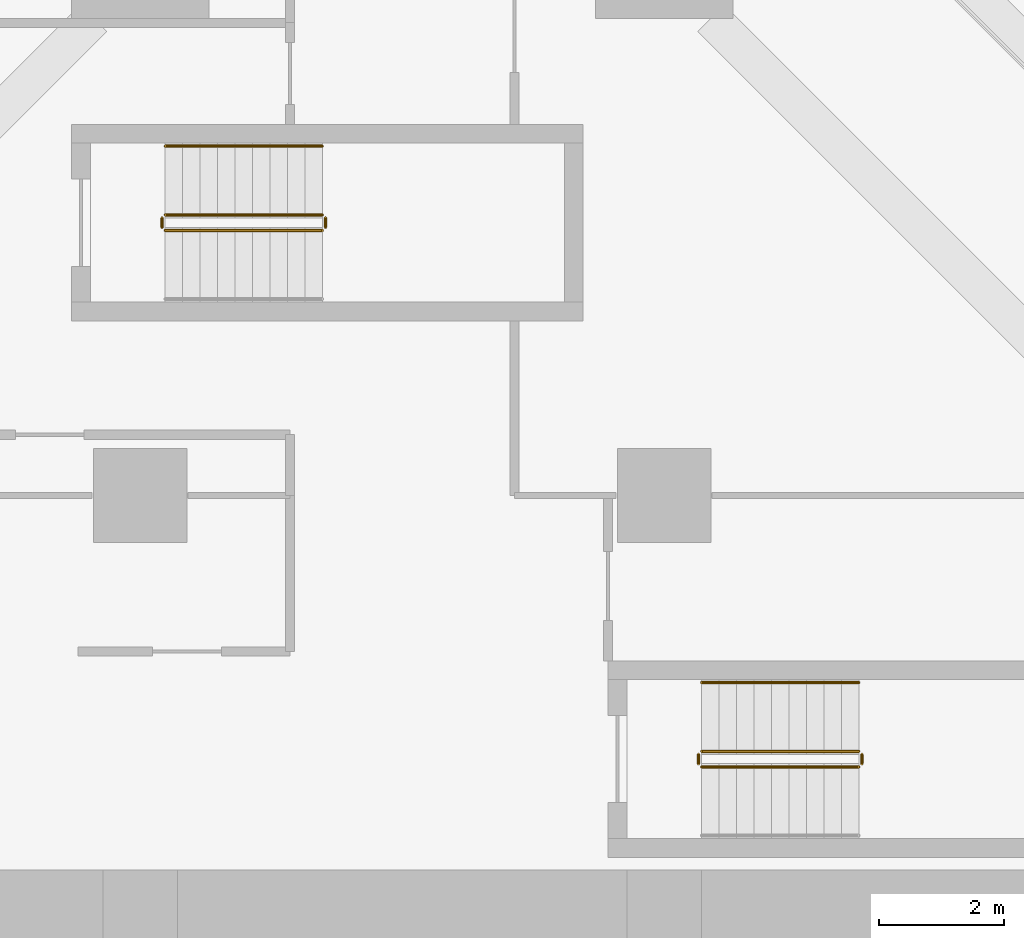
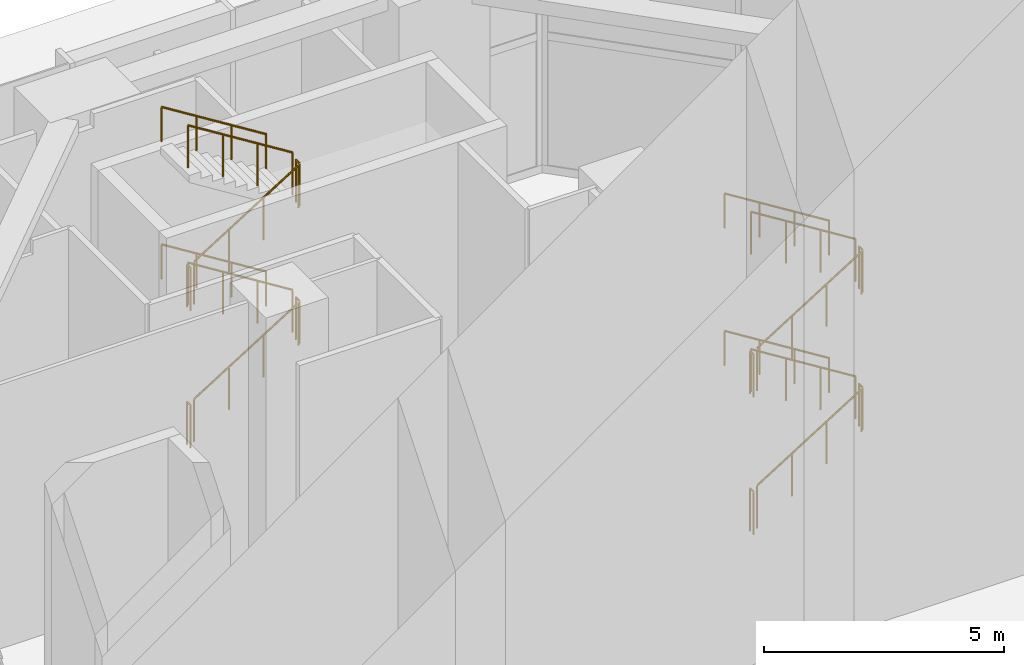
# One storey, part 20 of 21: 20 railings.
"""IFC4 building model written with IfcOpenShell, lengths in metres."""

from ifc_helpers import new_model, si_unit, direction, frame, origin, origin_2d, place, context, subcontext, project, spatial, circle, extrude, material, type_object, element, save


model = new_model("IFC4")

# Units and contexts
model_context = context("Model", 3, precision=1e-05, world=origin(), true_north=direction((0.0, 1.0)))
body_context = subcontext(model_context, "Body", "Model", "MODEL_VIEW")
ifc_project = project(units=[si_unit("LENGTHUNIT", "METRE"), si_unit("AREAUNIT", "SQUARE_METRE"), si_unit("VOLUMEUNIT", "CUBIC_METRE"), si_unit("PLANEANGLEUNIT", "RADIAN"), si_unit("MASSUNIT", "GRAM", prefix="KILO")], contexts=[model_context])

# Site, building, storey
site_placement = place(None, origin())
site = spatial("IfcSite", under=ifc_project, at=site_placement, CompositionType="ELEMENT")
building_placement = place(site_placement, origin())
building = spatial("IfcBuilding", under=site, at=building_placement, Name="Brevane Broadcast Tower", CompositionType="ELEMENT")
storey_placement = place(building_placement, origin())
storey = spatial("IfcBuildingStorey", under=building, at=storey_placement, Name="L00", CompositionType="ELEMENT", Elevation=0.0)

# Railings
ifc_material = material(Name="Steel S355", Category="steel")
railing_type_1 = type_object("IfcRailingType", Name="Exit stair guard", PredefinedType="GUARDRAIL", material=ifc_material)
railing_1_placement = place(storey_placement, frame((17.39990234375, 54.449951171875, 0.175048828125)))
element("IfcRailing", 1, at=railing_1_placement, inside=storey, type_object=railing_type_1, Name="L00 ST-5 stair guard 1", PredefinedType="GUARDRAIL", context=body_context, shape_type="SweptSolid", body=[
    extrude(circle(Radius=0.02392578125, at=origin_2d()), frame((0.0, 0.0, 1.076171875), z_axis=(0.848007534815, 0.0, 0.529984170421), x_axis=(0.0, 1.0, 0.0)), (0.0, 0.0, 1.0), 2.9716796875),
    extrude(circle(Radius=0.02099609375, at=origin_2d()), origin(), (0.0, 0.0, 1.0), 1.052001953125),
    extrude(circle(Radius=0.02099609375, at=origin_2d()), frame((0.840087890625, 0.0, 0.52490234375)), (0.0, 0.0, 1.0), 1.052001953125),
    extrude(circle(Radius=0.02099609375, at=origin_2d()), frame((1.679931640625, 0.0, 1.050048828125)), (0.0, 0.0, 1.0), 1.052001953125),
    extrude(circle(Radius=0.02099609375, at=origin_2d()), frame((2.52001953125, 0.0, 1.574951171875)), (0.0, 0.0, 1.0), 1.052001953125),
])
railing_2_placement = place(storey_placement, frame((19.969970703125, 54.5, 1.75)))
element("IfcRailing", 2, at=railing_2_placement, inside=storey, type_object=railing_type_1, Name="L00 ST-5 stair guard 2", PredefinedType="GUARDRAIL", context=body_context, shape_type="SweptSolid", body=[
    extrude(circle(Radius=0.02392578125, at=origin_2d()), frame((0.0, 0.0, 1.076171875), z_axis=(0.0, 1.0, 0.0), x_axis=(-1.0, 0.0, 0.0)), (0.0, 0.0, 1.0), 0.14990234375),
    extrude(circle(Radius=0.02099609375, at=origin_2d()), origin(), (0.0, 0.0, 1.0), 1.052001953125),
    extrude(circle(Radius=0.02099609375, at=origin_2d()), frame((0.0, 0.14990234375, 0.0)), (0.0, 0.0, 1.0), 1.052001953125),
])
railing_3_placement = place(storey_placement, frame((19.919921875, 54.699951171875, 1.925048828125)))
element("IfcRailing", 3, at=railing_3_placement, inside=storey, type_object=railing_type_1, Name="L00 ST-5 stair guard 3", PredefinedType="GUARDRAIL", context=body_context, shape_type="SweptSolid", body=[
    extrude(circle(Radius=0.02392578125, at=origin_2d()), frame((0.0, 0.0, 1.076171875), z_axis=(-0.848007534815, 0.0, 0.529984170421), x_axis=(0.0, -1.0, 0.0)), (0.0, 0.0, 1.0), 2.9716796875),
    extrude(circle(Radius=0.02099609375, at=origin_2d()), origin(), (0.0, 0.0, 1.0), 1.052001953125),
    extrude(circle(Radius=0.02099609375, at=origin_2d()), frame((-0.840087890625, 0.0, 0.52490234375)), (0.0, 0.0, 1.0), 1.052001953125),
    extrude(circle(Radius=0.02099609375, at=origin_2d()), frame((-1.679931640625, 0.0, 1.050048828125)), (0.0, 0.0, 1.0), 1.052001953125),
    extrude(circle(Radius=0.02099609375, at=origin_2d()), frame((-2.52001953125, 0.0, 1.574951171875)), (0.0, 0.0, 1.0), 1.052001953125),
])
railing_4_placement = place(storey_placement, frame((17.35009765625, 54.5, 3.5)))
element("IfcRailing", 4, at=railing_4_placement, inside=storey, type_object=railing_type_1, Name="L00 ST-5 stair guard 4", PredefinedType="GUARDRAIL", context=body_context, shape_type="SweptSolid", body=[
    extrude(circle(Radius=0.02392578125, at=origin_2d()), frame((0.0, 0.0, 1.076171875), z_axis=(0.0, 1.0, 0.0), x_axis=(-1.0, 0.0, 0.0)), (0.0, 0.0, 1.0), 0.14990234375),
    extrude(circle(Radius=0.02099609375, at=origin_2d()), origin(), (0.0, 0.0, 1.0), 1.052001953125),
    extrude(circle(Radius=0.02099609375, at=origin_2d()), frame((0.0, 0.14990234375, 0.0)), (0.0, 0.0, 1.0), 1.052001953125),
])
railing_5_placement = place(storey_placement, frame((17.39990234375, 54.449951171875, 3.675048828125)))
element("IfcRailing", 5, at=railing_5_placement, inside=storey, type_object=railing_type_1, Name="L00 ST-5 stair guard 5", PredefinedType="GUARDRAIL", context=body_context, shape_type="SweptSolid", body=[
    extrude(circle(Radius=0.02392578125, at=origin_2d()), frame((0.0, 0.0, 1.076171875), z_axis=(0.848007534815, 0.0, 0.529984170421), x_axis=(0.0, 1.0, 0.0)), (0.0, 0.0, 1.0), 2.9716796875),
    extrude(circle(Radius=0.02099609375, at=origin_2d()), origin(), (0.0, 0.0, 1.0), 1.052001953125),
    extrude(circle(Radius=0.02099609375, at=origin_2d()), frame((0.840087890625, 0.0, 0.52490234375)), (0.0, 0.0, 1.0), 1.052001953125),
    extrude(circle(Radius=0.02099609375, at=origin_2d()), frame((1.679931640625, 0.0, 1.050048828125)), (0.0, 0.0, 1.0), 1.052001953125),
    extrude(circle(Radius=0.02099609375, at=origin_2d()), frame((2.52001953125, 0.0, 1.574951171875)), (0.0, 0.0, 1.0), 1.052001953125),
])
railing_6_placement = place(storey_placement, frame((19.969970703125, 54.5, 5.25)))
element("IfcRailing", 6, at=railing_6_placement, inside=storey, type_object=railing_type_1, Name="L00 ST-5 stair guard 6", PredefinedType="GUARDRAIL", context=body_context, shape_type="SweptSolid", body=[
    extrude(circle(Radius=0.02392578125, at=origin_2d()), frame((0.0, 0.0, 1.076171875), z_axis=(0.0, 1.0, 0.0), x_axis=(-1.0, 0.0, 0.0)), (0.0, 0.0, 1.0), 0.14990234375),
    extrude(circle(Radius=0.02099609375, at=origin_2d()), origin(), (0.0, 0.0, 1.0), 1.052001953125),
    extrude(circle(Radius=0.02099609375, at=origin_2d()), frame((0.0, 0.14990234375, 0.0)), (0.0, 0.0, 1.0), 1.052001953125),
])
railing_7_placement = place(storey_placement, frame((19.919921875, 54.699951171875, 5.425048828125)))
element("IfcRailing", 7, at=railing_7_placement, inside=storey, type_object=railing_type_1, Name="L00 ST-5 stair guard 7", PredefinedType="GUARDRAIL", context=body_context, shape_type="SweptSolid", body=[
    extrude(circle(Radius=0.02392578125, at=origin_2d()), frame((0.0, 0.0, 1.076171875), z_axis=(-0.848007534815, 0.0, 0.529984170421), x_axis=(0.0, -1.0, 0.0)), (0.0, 0.0, 1.0), 2.9716796875),
    extrude(circle(Radius=0.02099609375, at=origin_2d()), origin(), (0.0, 0.0, 1.0), 1.052001953125),
    extrude(circle(Radius=0.02099609375, at=origin_2d()), frame((-0.840087890625, 0.0, 0.52490234375)), (0.0, 0.0, 1.0), 1.052001953125),
    extrude(circle(Radius=0.02099609375, at=origin_2d()), frame((-1.679931640625, 0.0, 1.050048828125)), (0.0, 0.0, 1.0), 1.052001953125),
    extrude(circle(Radius=0.02099609375, at=origin_2d()), frame((-2.52001953125, 0.0, 1.574951171875)), (0.0, 0.0, 1.0), 1.052001953125),
])
railing_8_placement = place(storey_placement, frame((17.35009765625, 54.5, 0.0)))
element("IfcRailing", 8, at=railing_8_placement, inside=storey, type_object=railing_type_1, Name="L00 ST-5 stair guard 8", PredefinedType="GUARDRAIL", context=body_context, shape_type="SweptSolid", body=[
    extrude(circle(Radius=0.02392578125, at=origin_2d()), frame((0.0, 0.0, 1.076171875), z_axis=(0.0, 1.0, 0.0), x_axis=(-1.0, 0.0, 0.0)), (0.0, 0.0, 1.0), 0.14990234375),
    extrude(circle(Radius=0.02099609375, at=origin_2d()), origin(), (0.0, 0.0, 1.0), 1.052001953125),
    extrude(circle(Radius=0.02099609375, at=origin_2d()), frame((0.0, 0.14990234375, 0.0)), (0.0, 0.0, 1.0), 1.052001953125),
])
railing_9_placement = place(storey_placement, frame((8.800048828125, 63.050048828125, 0.175048828125)))
element("IfcRailing", 9, at=railing_9_placement, inside=storey, type_object=railing_type_1, Name="L00 ST-6 stair guard 1", PredefinedType="GUARDRAIL", context=body_context, shape_type="SweptSolid", body=[
    extrude(circle(Radius=0.02392578125, at=origin_2d()), frame((0.0, 0.0, 1.076171875), z_axis=(0.848007534815, 0.0, 0.529984170421), x_axis=(0.0, 1.0, 0.0)), (0.0, 0.0, 1.0), 2.9716796875),
    extrude(circle(Radius=0.02099609375, at=origin_2d()), origin(), (0.0, 0.0, 1.0), 1.052001953125),
    extrude(circle(Radius=0.02099609375, at=origin_2d()), frame((0.840087890625, 0.0, 0.52490234375)), (0.0, 0.0, 1.0), 1.052001953125),
    extrude(circle(Radius=0.02099609375, at=origin_2d()), frame((1.679931640625, 0.0, 1.050048828125)), (0.0, 0.0, 1.0), 1.052001953125),
    extrude(circle(Radius=0.02099609375, at=origin_2d()), frame((2.52001953125, 0.0, 1.574951171875)), (0.0, 0.0, 1.0), 1.052001953125),
])
railing_10_placement = place(storey_placement, frame((11.3701171875, 63.10009765625, 1.75)))
element("IfcRailing", 10, at=railing_10_placement, inside=storey, type_object=railing_type_1, Name="L00 ST-6 stair guard 2", PredefinedType="GUARDRAIL", context=body_context, shape_type="SweptSolid", body=[
    extrude(circle(Radius=0.02392578125, at=origin_2d()), frame((0.0, 0.0, 1.076171875), z_axis=(0.0, 1.0, 0.0), x_axis=(-1.0, 0.0, 0.0)), (0.0, 0.0, 1.0), 0.14990234375),
    extrude(circle(Radius=0.02099609375, at=origin_2d()), origin(), (0.0, 0.0, 1.0), 1.052001953125),
    extrude(circle(Radius=0.02099609375, at=origin_2d()), frame((0.0, 0.14990234375, 0.0)), (0.0, 0.0, 1.0), 1.052001953125),
])
railing_11_placement = place(storey_placement, frame((11.320068359375, 63.300048828125, 1.925048828125)))
element("IfcRailing", 11, at=railing_11_placement, inside=storey, type_object=railing_type_1, Name="L00 ST-6 stair guard 3", PredefinedType="GUARDRAIL", context=body_context, shape_type="SweptSolid", body=[
    extrude(circle(Radius=0.02392578125, at=origin_2d()), frame((0.0, 0.0, 1.076171875), z_axis=(-0.848007534815, 0.0, 0.529984170421), x_axis=(0.0, -1.0, 0.0)), (0.0, 0.0, 1.0), 2.9716796875),
    extrude(circle(Radius=0.02099609375, at=origin_2d()), origin(), (0.0, 0.0, 1.0), 1.052001953125),
    extrude(circle(Radius=0.02099609375, at=origin_2d()), frame((-0.840087890625, 0.0, 0.52490234375)), (0.0, 0.0, 1.0), 1.052001953125),
    extrude(circle(Radius=0.02099609375, at=origin_2d()), frame((-1.679931640625, 0.0, 1.050048828125)), (0.0, 0.0, 1.0), 1.052001953125),
    extrude(circle(Radius=0.02099609375, at=origin_2d()), frame((-2.52001953125, 0.0, 1.574951171875)), (0.0, 0.0, 1.0), 1.052001953125),
])
railing_12_placement = place(storey_placement, frame((8.75, 63.10009765625, 3.5)))
element("IfcRailing", 12, at=railing_12_placement, inside=storey, type_object=railing_type_1, Name="L00 ST-6 stair guard 4", PredefinedType="GUARDRAIL", context=body_context, shape_type="SweptSolid", body=[
    extrude(circle(Radius=0.02392578125, at=origin_2d()), frame((0.0, 0.0, 1.076171875), z_axis=(0.0, 1.0, 0.0), x_axis=(-1.0, 0.0, 0.0)), (0.0, 0.0, 1.0), 0.14990234375),
    extrude(circle(Radius=0.02099609375, at=origin_2d()), origin(), (0.0, 0.0, 1.0), 1.052001953125),
    extrude(circle(Radius=0.02099609375, at=origin_2d()), frame((0.0, 0.14990234375, 0.0)), (0.0, 0.0, 1.0), 1.052001953125),
])
railing_13_placement = place(storey_placement, frame((8.800048828125, 63.050048828125, 3.675048828125)))
element("IfcRailing", 13, at=railing_13_placement, inside=storey, type_object=railing_type_1, Name="L00 ST-6 stair guard 5", PredefinedType="GUARDRAIL", context=body_context, shape_type="SweptSolid", body=[
    extrude(circle(Radius=0.02392578125, at=origin_2d()), frame((0.0, 0.0, 1.076171875), z_axis=(0.848007534815, 0.0, 0.529984170421), x_axis=(0.0, 1.0, 0.0)), (0.0, 0.0, 1.0), 2.9716796875),
    extrude(circle(Radius=0.02099609375, at=origin_2d()), origin(), (0.0, 0.0, 1.0), 1.052001953125),
    extrude(circle(Radius=0.02099609375, at=origin_2d()), frame((0.840087890625, 0.0, 0.52490234375)), (0.0, 0.0, 1.0), 1.052001953125),
    extrude(circle(Radius=0.02099609375, at=origin_2d()), frame((1.679931640625, 0.0, 1.050048828125)), (0.0, 0.0, 1.0), 1.052001953125),
    extrude(circle(Radius=0.02099609375, at=origin_2d()), frame((2.52001953125, 0.0, 1.574951171875)), (0.0, 0.0, 1.0), 1.052001953125),
])
railing_14_placement = place(storey_placement, frame((11.3701171875, 63.10009765625, 5.25)))
element("IfcRailing", 14, at=railing_14_placement, inside=storey, type_object=railing_type_1, Name="L00 ST-6 stair guard 6", PredefinedType="GUARDRAIL", context=body_context, shape_type="SweptSolid", body=[
    extrude(circle(Radius=0.02392578125, at=origin_2d()), frame((0.0, 0.0, 1.076171875), z_axis=(0.0, 1.0, 0.0), x_axis=(-1.0, 0.0, 0.0)), (0.0, 0.0, 1.0), 0.14990234375),
    extrude(circle(Radius=0.02099609375, at=origin_2d()), origin(), (0.0, 0.0, 1.0), 1.052001953125),
    extrude(circle(Radius=0.02099609375, at=origin_2d()), frame((0.0, 0.14990234375, 0.0)), (0.0, 0.0, 1.0), 1.052001953125),
])
railing_15_placement = place(storey_placement, frame((11.320068359375, 63.300048828125, 5.425048828125)))
element("IfcRailing", 15, at=railing_15_placement, inside=storey, type_object=railing_type_1, Name="L00 ST-6 stair guard 7", PredefinedType="GUARDRAIL", context=body_context, shape_type="SweptSolid", body=[
    extrude(circle(Radius=0.02392578125, at=origin_2d()), frame((0.0, 0.0, 1.076171875), z_axis=(-0.848007534815, 0.0, 0.529984170421), x_axis=(0.0, -1.0, 0.0)), (0.0, 0.0, 1.0), 2.9716796875),
    extrude(circle(Radius=0.02099609375, at=origin_2d()), origin(), (0.0, 0.0, 1.0), 1.052001953125),
    extrude(circle(Radius=0.02099609375, at=origin_2d()), frame((-0.840087890625, 0.0, 0.52490234375)), (0.0, 0.0, 1.0), 1.052001953125),
    extrude(circle(Radius=0.02099609375, at=origin_2d()), frame((-1.679931640625, 0.0, 1.050048828125)), (0.0, 0.0, 1.0), 1.052001953125),
    extrude(circle(Radius=0.02099609375, at=origin_2d()), frame((-2.52001953125, 0.0, 1.574951171875)), (0.0, 0.0, 1.0), 1.052001953125),
])
railing_16_placement = place(storey_placement, frame((8.75, 63.10009765625, 0.0)))
element("IfcRailing", 16, at=railing_16_placement, inside=storey, type_object=railing_type_1, Name="L00 ST-6 stair guard 8", PredefinedType="GUARDRAIL", context=body_context, shape_type="SweptSolid", body=[
    extrude(circle(Radius=0.02392578125, at=origin_2d()), frame((0.0, 0.0, 1.076171875), z_axis=(0.0, 1.0, 0.0), x_axis=(-1.0, 0.0, 0.0)), (0.0, 0.0, 1.0), 0.14990234375),
    extrude(circle(Radius=0.02099609375, at=origin_2d()), origin(), (0.0, 0.0, 1.0), 1.052001953125),
    extrude(circle(Radius=0.02099609375, at=origin_2d()), frame((0.0, 0.14990234375, 0.0)), (0.0, 0.0, 1.0), 1.052001953125),
])
railing_type_2 = type_object("IfcRailingType", Name="Exit stair handrail", PredefinedType="HANDRAIL", material=ifc_material)
for number, where, name in (
    (17, (19.919921875, 55.800048828125, 1.925048828125), "L00 ST-5 stair handrail 2"),
    (18, (19.919921875, 55.800048828125, 5.425048828125), "L00 ST-5 stair handrail 4"),
    (19, (11.320068359375, 64.39990234375, 1.925048828125), "L00 ST-6 stair handrail 2"),
    (20, (11.320068359375, 64.39990234375, 5.425048828125), "L00 ST-6 stair handrail 4"),
):
    element("IfcRailing", number, at=place(storey_placement, frame(where)), inside=storey, type_object=railing_type_2, Name=name, PredefinedType="HANDRAIL", context=body_context, shape_type="SweptSolid", body=[
        extrude(circle(Radius=0.02392578125, at=origin_2d()), frame((0.0, 0.0, 0.8759765625), z_axis=(-0.848007534815, 0.0, 0.529984170421), x_axis=(0.0, -1.0, 0.0)), (0.0, 0.0, 1.0), 2.9716796875),
        extrude(circle(Radius=0.02099609375, at=origin_2d()), origin(), (0.0, 0.0, 1.0), 0.851806640625),
        extrude(circle(Radius=0.02099609375, at=origin_2d()), frame((-0.840087890625, 0.0, 0.52490234375)), (0.0, 0.0, 1.0), 0.851806640625),
        extrude(circle(Radius=0.02099609375, at=origin_2d()), frame((-1.679931640625, 0.0, 1.050048828125)), (0.0, 0.0, 1.0), 0.851806640625),
        extrude(circle(Radius=0.02099609375, at=origin_2d()), frame((-2.52001953125, 0.0, 1.574951171875)), (0.0, 0.0, 1.0), 0.851806640625),
    ])

save(model, "model.ifc")
